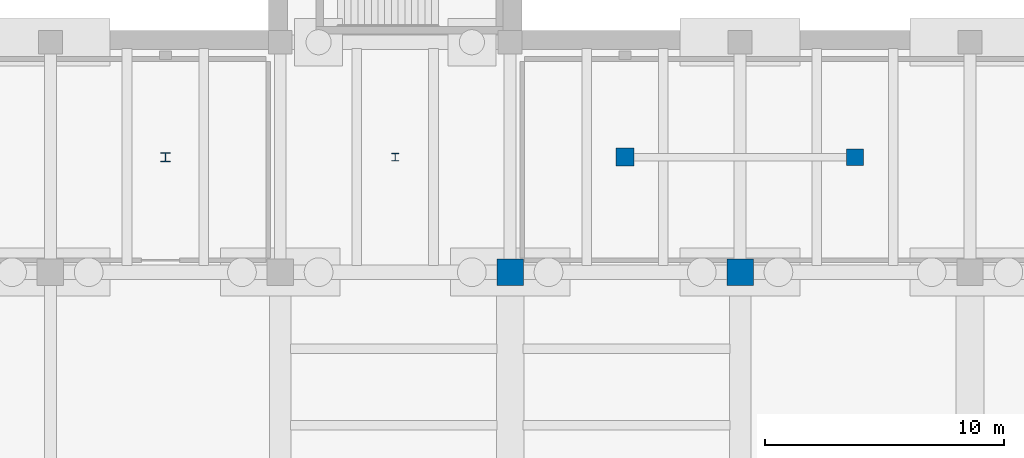
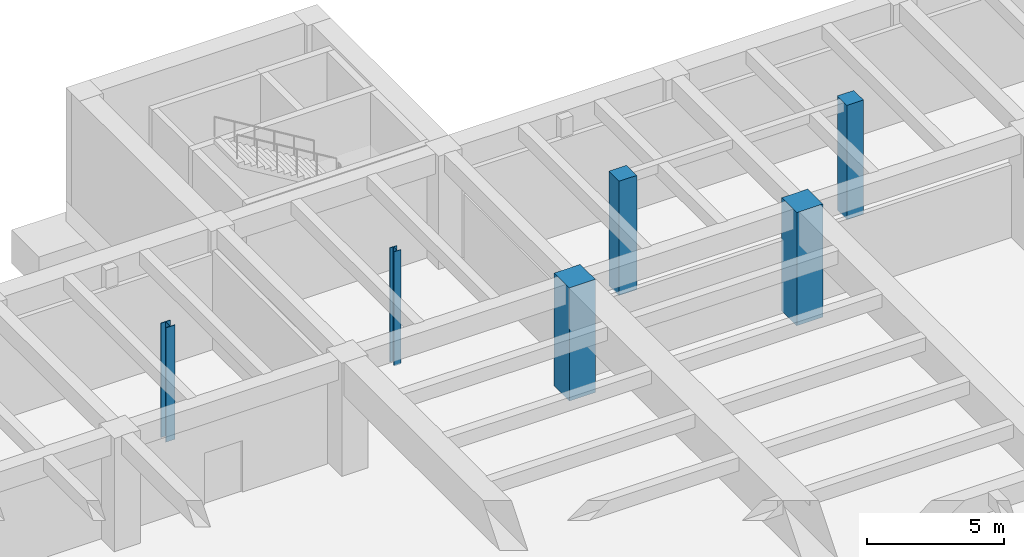
# One storey, part 3 of 24: 6 columns.
"""IFC4 building model written with IfcOpenShell, lengths in metres."""

from ifc_helpers import new_model, si_unit, direction, frame, origin, origin_2d, place, context, subcontext, project, spatial, rectangle, i_section, extrude, material, material_profile, profile_set, type_object, element, save


model = new_model("IFC4")

# Units and contexts
model_context = context("Model", 3, precision=1e-05, world=origin(), true_north=direction((0.0, 1.0)))
body_context = subcontext(model_context, "Body", "Model", "MODEL_VIEW")
ifc_project = project(units=[si_unit("LENGTHUNIT", "METRE"), si_unit("AREAUNIT", "SQUARE_METRE"), si_unit("VOLUMEUNIT", "CUBIC_METRE"), si_unit("PLANEANGLEUNIT", "RADIAN"), si_unit("MASSUNIT", "GRAM", prefix="KILO")], contexts=[model_context])

# Site, building, storey
site_placement = place(None, origin())
site = spatial("IfcSite", under=ifc_project, at=site_placement, CompositionType="ELEMENT")
building_placement = place(site_placement, origin())
building = spatial("IfcBuilding", under=site, at=building_placement, Name="Coralgate Yard Interchange", CompositionType="ELEMENT")
storey_placement = place(building_placement, frame((0.0, 0.0, -10.800048828125)))
storey = spatial("IfcBuildingStorey", under=building, at=storey_placement, Name="B2", CompositionType="ELEMENT", Elevation=-10.800048828125)

# Columns
ifc_material_1 = material(Name="Concrete C40/50", Category="concrete")
ifc_material_profile_1 = material_profile(ifc_material_1, rectangle(XDim=1.10009765625, YDim=1.10009765625, at=origin_2d()), Name="RC 1100x1100")
ifc_profile_set_1 = profile_set([ifc_material_profile_1], Name="Concrete C40/50")
column_type_1 = type_object("IfcColumnType", Name="COL-CC-1", PredefinedType="COLUMN", material=ifc_profile_set_1)
for number, where, z_axis, x_axis, name in (
    (1, (57.60009765625, 67.199951171875, 0.0), (0.0, 0.0, 1.0), (1.0, 0.0, 0.0), "B2 structural column 6-7"),
    (2, (67.199951171875, 67.199951171875, 0.0), (0.0, 0.0, 1.0), (1.0, 0.0, 0.0), "B2 structural column 7-7"),
):
    element("IfcColumn", number, at=place(storey_placement, frame(where, z_axis=z_axis, x_axis=x_axis)), inside=storey, type_object=column_type_1, Name=name, PredefinedType="COLUMN", context=body_context, shape_type="SweptSolid", body=[
        extrude(rectangle(XDim=1.10009765625, YDim=1.10009765625, at=origin_2d()), origin(), (0.0, 0.0, 1.0), 5.050048828125),
    ])
ifc_material_profile_2 = material_profile(ifc_material_1, rectangle(XDim=0.75, YDim=0.75, at=origin_2d()), Name="RC 750x750")
ifc_profile_set_2 = profile_set([ifc_material_profile_2], Name="Concrete C40/50")
column_type_2 = type_object("IfcColumnType", Name="COL-CC-6", PredefinedType="COLUMN", material=ifc_profile_set_2)
column_1_placement = place(storey_placement, frame((62.39990234375, 72.0, -0.050048828125), z_axis=(0.0, 0.0, 1.0), x_axis=(1.0, 0.0, 0.0)))
element("IfcColumn", 3, at=column_1_placement, inside=storey, type_object=column_type_2, Name="B2 plant support column 3", PredefinedType="COLUMN", context=body_context, shape_type="SweptSolid", body=[
    extrude(rectangle(XDim=0.75, YDim=0.75, at=origin_2d()), origin(), (0.0, 0.0, 1.0), 5.10009765625),
])
ifc_material_profile_3 = material_profile(ifc_material_1, rectangle(XDim=0.699951171875, YDim=0.699951171875, at=origin_2d()), Name="RC 700x700")
ifc_profile_set_3 = profile_set([ifc_material_profile_3], Name="Concrete C40/50")
column_type_3 = type_object("IfcColumnType", Name="COL-CC-7", PredefinedType="COLUMN", material=ifc_profile_set_3)
column_2_placement = place(storey_placement, frame((72.0, 72.0, -0.050048828125), z_axis=(0.0, 0.0, 1.0), x_axis=(1.0, 0.0, 0.0)))
element("IfcColumn", 4, at=column_2_placement, inside=storey, type_object=column_type_3, Name="B2 plant support column 4", PredefinedType="COLUMN", context=body_context, shape_type="SweptSolid", body=[
    extrude(rectangle(XDim=0.699951171875, YDim=0.699951171875, at=origin_2d()), origin(), (0.0, 0.0, 1.0), 5.10009765625),
])
ifc_material_2 = material(Name="Structural steel S355J2", Category="steel")
ifc_material_profile_4 = material_profile(ifc_material_2, i_section(OverallWidth=0.394775390625, OverallDepth=0.381103515625, WebThickness=0.018310546875, FlangeThickness=0.0302734375, FilletRadius=0.01513671875, at=origin_2d()), Name="UC 356x406x235")
ifc_profile_set_4 = profile_set([ifc_material_profile_4], Name="Structural steel S355J2")
column_type_4 = type_object("IfcColumnType", Name="COL-SC-2", PredefinedType="COLUMN", material=ifc_profile_set_4)
column_3_placement = place(storey_placement, frame((43.199951171875, 72.0, -0.050048828125), z_axis=(0.0, 0.0, 1.0), x_axis=(1.0, 0.0, 0.0)))
element("IfcColumn", 5, at=column_3_placement, inside=storey, type_object=column_type_4, Name="B2 substation equipment steel stanchion 1", PredefinedType="COLUMN", context=body_context, shape_type="SweptSolid", body=[
    extrude(i_section(OverallWidth=0.394775390625, OverallDepth=0.381103515625, WebThickness=0.018310546875, FlangeThickness=0.0302734375, FilletRadius=0.01513671875, at=origin_2d()), origin(), (0.0, 0.0, 1.0), 5.10009765625),
])
ifc_material_profile_5 = material_profile(ifc_material_2, i_section(OverallWidth=0.307373046875, OverallDepth=0.314453125, WebThickness=0.011962890625, FlangeThickness=0.018798828125, FilletRadius=0.01513671875, at=origin_2d()), Name="UC 305x305x118")
ifc_profile_set_5 = profile_set([ifc_material_profile_5], Name="Structural steel S355J2")
column_type_5 = type_object("IfcColumnType", Name="COL-SC-6", PredefinedType="COLUMN", material=ifc_profile_set_5)
column_4_placement = place(storey_placement, frame((52.800048828125, 72.0, -0.050048828125), z_axis=(0.0, 0.0, 1.0), x_axis=(1.0, 0.0, 0.0)))
element("IfcColumn", 6, at=column_4_placement, inside=storey, type_object=column_type_5, Name="B2 substation equipment steel stanchion 2", PredefinedType="COLUMN", context=body_context, shape_type="SweptSolid", body=[
    extrude(i_section(OverallWidth=0.307373046875, OverallDepth=0.314453125, WebThickness=0.011962890625, FlangeThickness=0.018798828125, FilletRadius=0.01513671875, at=origin_2d()), origin(), (0.0, 0.0, 1.0), 5.10009765625),
])

save(model, "model.ifc")
